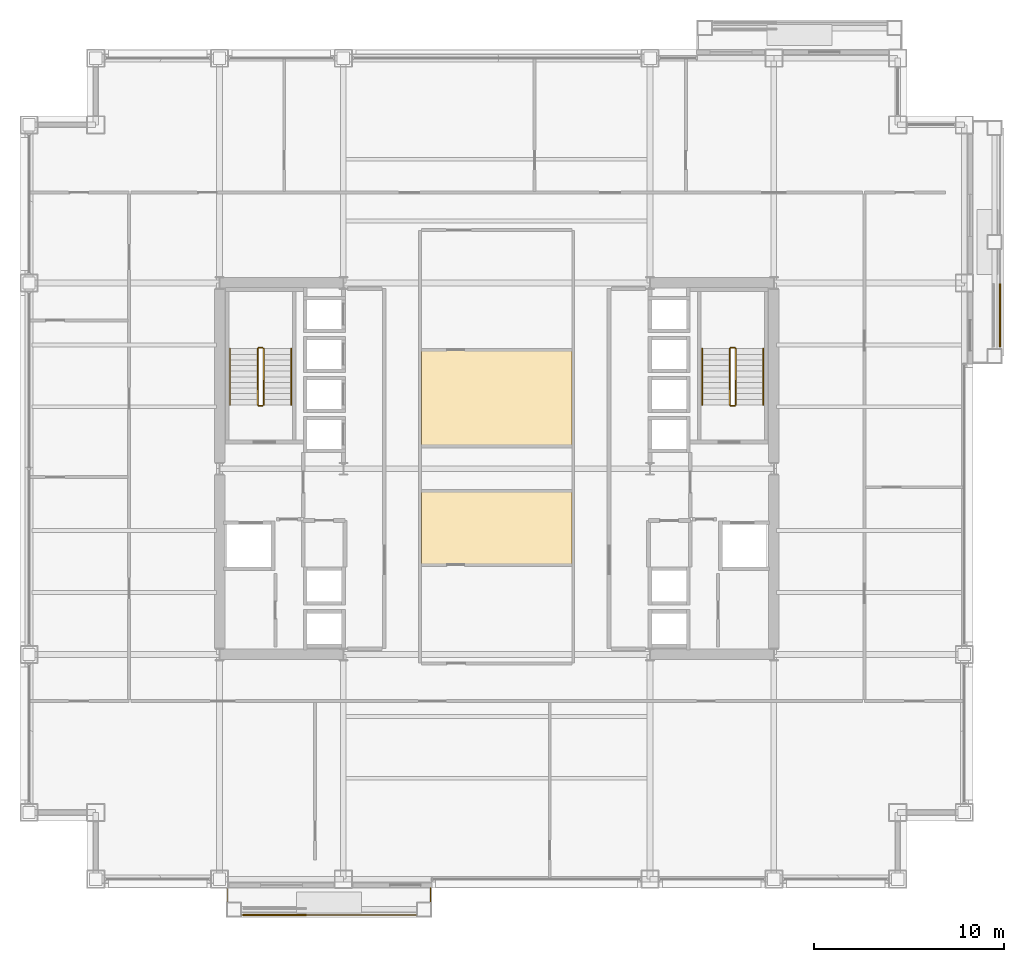
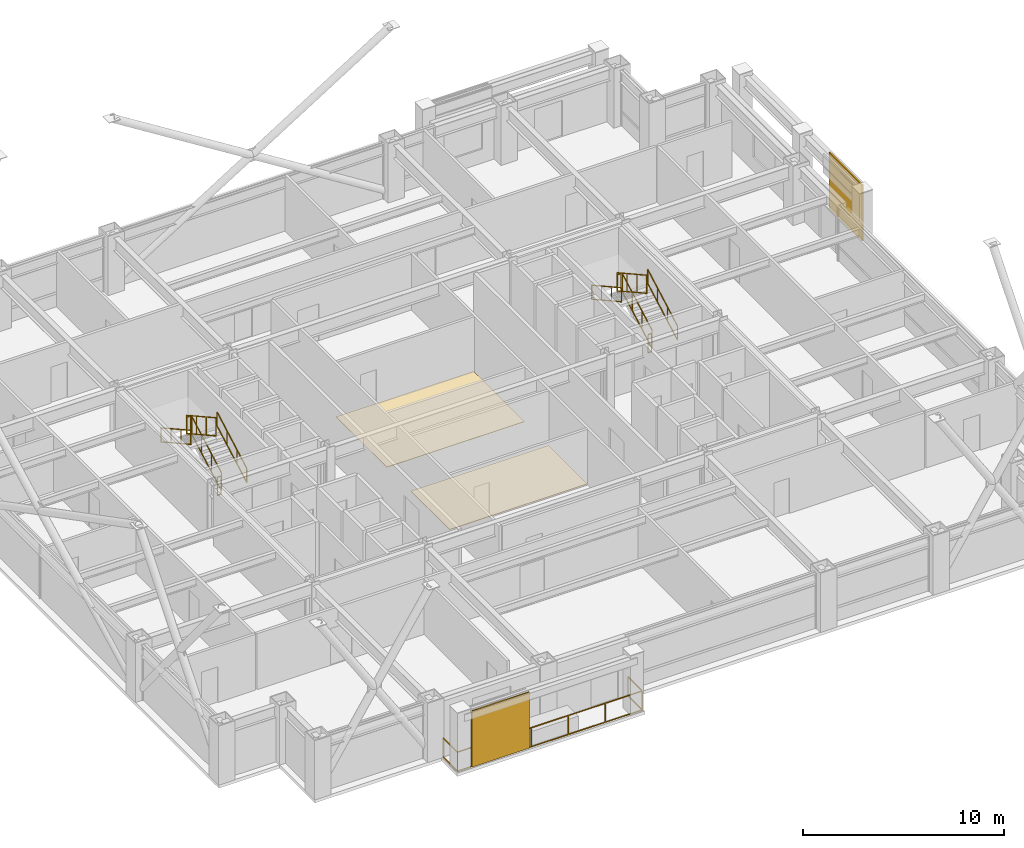
# One storey, part 32 of 34: 13 railings, 2 coverings, 2 shading devices.
"""IFC4 building model written with IfcOpenShell, lengths in metres."""

from ifc_helpers import new_model, si_unit, direction, frame, origin, origin_2d, place, context, subcontext, project, spatial, polyline, rectangle, outline, extrude, material, layer, layer_set, type_object, element, save


model = new_model("IFC4")

# Units and contexts
model_context = context("Model", 3, precision=1e-05, world=origin(), true_north=direction((0.0, 1.0)))
body_context = subcontext(model_context, "Body", "Model", "MODEL_VIEW")
ifc_project = project(units=[si_unit("LENGTHUNIT", "METRE"), si_unit("AREAUNIT", "SQUARE_METRE"), si_unit("VOLUMEUNIT", "CUBIC_METRE"), si_unit("PLANEANGLEUNIT", "RADIAN"), si_unit("MASSUNIT", "GRAM", prefix="KILO")], contexts=[model_context])

# Site, building, storey
site_placement = place(None, origin())
site = spatial("IfcSite", under=ifc_project, at=site_placement, CompositionType="ELEMENT")
building_placement = place(site_placement, origin())
building = spatial("IfcBuilding", under=site, at=building_placement, Name="Brelmoor Portico Tower", CompositionType="ELEMENT")
storey_placement = place(building_placement, frame((0.0, 0.0, 45.60009765625)))
storey = spatial("IfcBuildingStorey", under=building, at=storey_placement, Name="L11", CompositionType="ELEMENT", Elevation=45.60009765625)

# Coverings
ifc_material_1 = material(Name="Polished Pale-Aggregate Cementitious Terrazzo", Category="stone")
ifc_layer_1 = layer(ifc_material_1, 0.030029296875)
ifc_layer_set_1 = layer_set([ifc_layer_1], Name="Polished Pale-Aggregate Cementitious Terrazzo")
covering_type_1 = type_object("IfcCoveringType", Name="CV-FLR-TERRAZZO-30", PredefinedType="FLOORING", material=ifc_layer_set_1)
covering_1_placement = place(storey_placement, origin())
element("IfcCovering", 1, at=covering_1_placement, inside=storey, type_object=covering_type_1, Name="L11 Architectural Floor Finish 02", PredefinedType="FLOORING", context=body_context, shape_type="SweptSolid", body=[
    extrude(outline(polyline([(-3.9599609375, -5.06005859375), (-3.9599609375, -1.199951171875), (3.9599609375, -1.199951171875), (3.9599609375, -5.06005859375), (-3.9599609375, -5.06005859375)])), origin(), (0.0, 0.0, 1.0), 0.02978515625),
])
ifc_material_2 = material(Name="Engineered Quarter-Sawn Oak Parquet Flooring", Category="timber")
ifc_layer_2 = layer(ifc_material_2, 0.02197265625)
ifc_layer_set_2 = layer_set([ifc_layer_2], Name="Engineered Quarter-Sawn Oak Parquet Flooring")
covering_type_2 = type_object("IfcCoveringType", Name="CV-FLR-TIMBER-22", PredefinedType="FLOORING", material=ifc_layer_set_2)
covering_2_placement = place(storey_placement, origin())
element("IfcCovering", 2, at=covering_2_placement, inside=storey, type_object=covering_type_2, Name="L11 Architectural Floor Finish 01", PredefinedType="FLOORING", context=body_context, shape_type="SweptSolid", body=[
    extrude(outline(polyline([(-3.9599609375, 1.199951171875), (-3.9599609375, 6.260009765625), (3.9599609375, 6.260009765625), (3.9599609375, 1.199951171875), (-3.9599609375, 1.199951171875)])), origin(), (0.0, 0.0, 1.0), 0.02197265625),
])

# Railings
ifc_material_3 = material(Name="Perforated Pale Champagne Aluminium Fretwork Guard", Category="aluminium")
railing_type_1 = type_object("IfcRailingType", Name="RL-BALUSTRADE-1200", PredefinedType="BALUSTRADE", material=ifc_material_3)
railing_1_placement = place(storey_placement, frame((-14.1201171875, -22.0, 0.0)))
element("IfcRailing", 3, at=railing_1_placement, inside=storey, type_object=railing_type_1, Name="L11 Tree Balcony Fretwork Balustrade S", PredefinedType="BALUSTRADE", context=body_context, shape_type="SweptSolid", body=[
    extrude(rectangle(XDim=0.048095703125, YDim=0.048095703125, at=origin_2d()), frame((0.0, 0.0, 1.17578125), z_axis=(0.0, -1.0, 0.0), x_axis=(1.0, 0.0, 0.0)), (0.0, 0.0, 1.0), 1.429931640625),
    extrude(rectangle(XDim=0.048095703125, YDim=0.048095703125, at=origin_2d()), frame((0.0, 0.0, 0.02392578125), z_axis=(0.0, -1.0, 0.0), x_axis=(1.0, 0.0, 0.0)), (0.0, 0.0, 1.0), 1.429931640625),
    extrude(rectangle(XDim=0.048095703125, YDim=0.048095703125, at=origin_2d()), frame((0.0, -1.429931640625, 1.17578125), z_axis=(1.0, 0.0, 0.0), x_axis=(0.0, 1.0, 0.0)), (0.0, 0.0, 1.0), 10.64013671875),
    extrude(rectangle(XDim=0.048095703125, YDim=0.048095703125, at=origin_2d()), frame((0.0, -1.429931640625, 0.02392578125), z_axis=(1.0, 0.0, 0.0), x_axis=(0.0, 1.0, 0.0)), (0.0, 0.0, 1.0), 10.64013671875),
    extrude(rectangle(XDim=0.048095703125, YDim=0.048095703125, at=origin_2d()), frame((10.64013671875, -1.429931640625, 1.17578125), z_axis=(0.0, 1.0, 0.0), x_axis=(-1.0, 0.0, 0.0)), (0.0, 0.0, 1.0), 1.429931640625),
    extrude(rectangle(XDim=0.048095703125, YDim=0.048095703125, at=origin_2d()), frame((10.64013671875, -1.429931640625, 0.02392578125), z_axis=(0.0, 1.0, 0.0), x_axis=(-1.0, 0.0, 0.0)), (0.0, 0.0, 1.0), 1.429931640625),
    extrude(rectangle(XDim=0.0419921875, YDim=0.0419921875, at=origin_2d()), origin(), (0.0, 0.0, 1.0), 1.15185546875),
    extrude(rectangle(XDim=0.0419921875, YDim=0.0419921875, at=origin_2d()), frame((0.0, -1.429931640625, 0.0)), (0.0, 0.0, 1.0), 1.15185546875),
    extrude(rectangle(XDim=0.0419921875, YDim=0.0419921875, at=origin_2d()), frame((2.1279296875, -1.429931640625, 0.0)), (0.0, 0.0, 1.0), 1.15185546875),
    extrude(rectangle(XDim=0.0419921875, YDim=0.0419921875, at=origin_2d()), frame((4.256103515625, -1.429931640625, 0.0)), (0.0, 0.0, 1.0), 1.15185546875),
    extrude(rectangle(XDim=0.0419921875, YDim=0.0419921875, at=origin_2d()), frame((6.384033203125, -1.429931640625, 0.0)), (0.0, 0.0, 1.0), 1.15185546875),
    extrude(rectangle(XDim=0.0419921875, YDim=0.0419921875, at=origin_2d()), frame((8.51220703125, -1.429931640625, 0.0)), (0.0, 0.0, 1.0), 1.15185546875),
    extrude(rectangle(XDim=0.0419921875, YDim=0.0419921875, at=origin_2d()), frame((10.64013671875, -1.429931640625, 0.0)), (0.0, 0.0, 1.0), 1.15185546875),
    extrude(rectangle(XDim=0.0419921875, YDim=0.0419921875, at=origin_2d()), frame((10.64013671875, 0.0, 0.0)), (0.0, 0.0, 1.0), 1.15185546875),
])
ifc_material_4 = material(Name="Painted Tubular Steel Q235B", Category="steel")
railing_type_2 = type_object("IfcRailingType", Name="RL-STAIR-GUARD", PredefinedType="GUARDRAIL", material=ifc_material_4)
railing_2_placement = place(storey_placement, frame((-12.239990234375, 3.35009765625, 0.16357421875)))
element("IfcRailing", 4, at=railing_2_placement, inside=storey, type_object=railing_type_2, Name="L11 ST-W stair guard 1", PredefinedType="GUARDRAIL", context=body_context, shape_type="SweptSolid", body=[
    extrude(rectangle(XDim=0.048095703125, YDim=0.048095703125, at=origin_2d()), frame((0.0, 0.0, 1.1259765625), z_axis=(0.0, 0.87448821551, 0.485046761595), x_axis=(-1.0, 0.0, 0.0)), (0.0, 0.0, 1.0), 3.373291015625),
    extrude(rectangle(XDim=0.048095703125, YDim=0.048095703125, at=origin_2d()), frame((0.0, 0.0, 0.02392578125), z_axis=(0.0, 0.87448821551, 0.485046761595), x_axis=(-1.0, 0.0, 0.0)), (0.0, 0.0, 1.0), 3.373291015625),
    extrude(rectangle(XDim=0.0419921875, YDim=0.0419921875, at=origin_2d()), origin(), (0.0, 0.0, 1.0), 1.101806640625),
    extrude(rectangle(XDim=0.0419921875, YDim=0.0419921875, at=origin_2d()), frame((0.0, 0.9833984375, 0.54541015625)), (0.0, 0.0, 1.0), 1.101806640625),
    extrude(rectangle(XDim=0.0419921875, YDim=0.0419921875, at=origin_2d()), frame((0.0, 1.966552734375, 1.0908203125)), (0.0, 0.0, 1.0), 1.101806640625),
    extrude(rectangle(XDim=0.0419921875, YDim=0.0419921875, at=origin_2d()), frame((0.0, 2.949951171875, 1.63623046875)), (0.0, 0.0, 1.0), 1.101806640625),
])
railing_3_placement = place(storey_placement, frame((-12.2900390625, 6.35009765625, 1.7998046875)))
element("IfcRailing", 5, at=railing_3_placement, inside=storey, type_object=railing_type_2, Name="L11 ST-W stair guard 2", PredefinedType="GUARDRAIL", context=body_context, shape_type="SweptSolid", body=[
    extrude(rectangle(XDim=0.048095703125, YDim=0.048095703125, at=origin_2d()), frame((0.0, 0.0, 1.1259765625), z_axis=(-1.0, 0.0, 0.0), x_axis=(0.0, -1.0, 0.0)), (0.0, 0.0, 1.0), 0.199951171875),
    extrude(rectangle(XDim=0.048095703125, YDim=0.048095703125, at=origin_2d()), frame((0.0, 0.0, 0.02392578125), z_axis=(-1.0, 0.0, 0.0), x_axis=(0.0, -1.0, 0.0)), (0.0, 0.0, 1.0), 0.199951171875),
    extrude(rectangle(XDim=0.0419921875, YDim=0.0419921875, at=origin_2d()), origin(), (0.0, 0.0, 1.0), 1.101806640625),
    extrude(rectangle(XDim=0.0419921875, YDim=0.0419921875, at=origin_2d()), frame((-0.199951171875, 0.0, 0.0)), (0.0, 0.0, 1.0), 1.101806640625),
])
railing_4_placement = place(storey_placement, frame((-12.5400390625, 6.300048828125, 1.963623046875)))
element("IfcRailing", 6, at=railing_4_placement, inside=storey, type_object=railing_type_2, Name="L11 ST-W stair guard 3", PredefinedType="GUARDRAIL", context=body_context, shape_type="SweptSolid", body=[
    extrude(rectangle(XDim=0.048095703125, YDim=0.048095703125, at=origin_2d()), frame((0.0, 0.0, 1.1259765625), z_axis=(0.0, -0.87448821551, 0.485046761595), x_axis=(1.0, 0.0, 0.0)), (0.0, 0.0, 1.0), 3.373291015625),
    extrude(rectangle(XDim=0.048095703125, YDim=0.048095703125, at=origin_2d()), frame((0.0, 0.0, 0.02392578125), z_axis=(0.0, -0.87448821551, 0.485046761595), x_axis=(1.0, 0.0, 0.0)), (0.0, 0.0, 1.0), 3.373291015625),
    extrude(rectangle(XDim=0.0419921875, YDim=0.0419921875, at=origin_2d()), origin(), (0.0, 0.0, 1.0), 1.101806640625),
    extrude(rectangle(XDim=0.0419921875, YDim=0.0419921875, at=origin_2d()), frame((0.0, -0.9833984375, 0.54541015625)), (0.0, 0.0, 1.0), 1.101806640625),
    extrude(rectangle(XDim=0.0419921875, YDim=0.0419921875, at=origin_2d()), frame((0.0, -1.966552734375, 1.0908203125)), (0.0, 0.0, 1.0), 1.101806640625),
    extrude(rectangle(XDim=0.0419921875, YDim=0.0419921875, at=origin_2d()), frame((0.0, -2.949951171875, 1.63623046875)), (0.0, 0.0, 1.0), 1.101806640625),
])
railing_5_placement = place(storey_placement, frame((-12.2900390625, 3.300048828125, 0.0)))
element("IfcRailing", 7, at=railing_5_placement, inside=storey, type_object=railing_type_2, Name="L11 ST-W stair guard 4", PredefinedType="GUARDRAIL", context=body_context, shape_type="SweptSolid", body=[
    extrude(rectangle(XDim=0.048095703125, YDim=0.048095703125, at=origin_2d()), frame((0.0, 0.0, 1.1259765625), z_axis=(-1.0, 0.0, 0.0), x_axis=(0.0, -1.0, 0.0)), (0.0, 0.0, 1.0), 0.199951171875),
    extrude(rectangle(XDim=0.048095703125, YDim=0.048095703125, at=origin_2d()), frame((0.0, 0.0, 0.02392578125), z_axis=(-1.0, 0.0, 0.0), x_axis=(0.0, -1.0, 0.0)), (0.0, 0.0, 1.0), 0.199951171875),
    extrude(rectangle(XDim=0.0419921875, YDim=0.0419921875, at=origin_2d()), origin(), (0.0, 0.0, 1.0), 1.101806640625),
    extrude(rectangle(XDim=0.0419921875, YDim=0.0419921875, at=origin_2d()), frame((-0.199951171875, 0.0, 0.0)), (0.0, 0.0, 1.0), 1.101806640625),
])
railing_6_placement = place(storey_placement, frame((12.5400390625, 3.35009765625, 0.16357421875)))
element("IfcRailing", 8, at=railing_6_placement, inside=storey, type_object=railing_type_2, Name="L11 ST-E stair guard 1", PredefinedType="GUARDRAIL", context=body_context, shape_type="SweptSolid", body=[
    extrude(rectangle(XDim=0.048095703125, YDim=0.048095703125, at=origin_2d()), frame((0.0, 0.0, 1.1259765625), z_axis=(0.0, 0.87448821551, 0.485046761595), x_axis=(-1.0, 0.0, 0.0)), (0.0, 0.0, 1.0), 3.373291015625),
    extrude(rectangle(XDim=0.048095703125, YDim=0.048095703125, at=origin_2d()), frame((0.0, 0.0, 0.02392578125), z_axis=(0.0, 0.87448821551, 0.485046761595), x_axis=(-1.0, 0.0, 0.0)), (0.0, 0.0, 1.0), 3.373291015625),
    extrude(rectangle(XDim=0.0419921875, YDim=0.0419921875, at=origin_2d()), origin(), (0.0, 0.0, 1.0), 1.101806640625),
    extrude(rectangle(XDim=0.0419921875, YDim=0.0419921875, at=origin_2d()), frame((0.0, 0.9833984375, 0.54541015625)), (0.0, 0.0, 1.0), 1.101806640625),
    extrude(rectangle(XDim=0.0419921875, YDim=0.0419921875, at=origin_2d()), frame((0.0, 1.966552734375, 1.0908203125)), (0.0, 0.0, 1.0), 1.101806640625),
    extrude(rectangle(XDim=0.0419921875, YDim=0.0419921875, at=origin_2d()), frame((0.0, 2.949951171875, 1.63623046875)), (0.0, 0.0, 1.0), 1.101806640625),
])
railing_7_placement = place(storey_placement, frame((12.489990234375, 6.35009765625, 1.7998046875)))
element("IfcRailing", 9, at=railing_7_placement, inside=storey, type_object=railing_type_2, Name="L11 ST-E stair guard 2", PredefinedType="GUARDRAIL", context=body_context, shape_type="SweptSolid", body=[
    extrude(rectangle(XDim=0.048095703125, YDim=0.048095703125, at=origin_2d()), frame((0.0, 0.0, 1.1259765625), z_axis=(-1.0, 0.0, 0.0), x_axis=(0.0, -1.0, 0.0)), (0.0, 0.0, 1.0), 0.199951171875),
    extrude(rectangle(XDim=0.048095703125, YDim=0.048095703125, at=origin_2d()), frame((0.0, 0.0, 0.02392578125), z_axis=(-1.0, 0.0, 0.0), x_axis=(0.0, -1.0, 0.0)), (0.0, 0.0, 1.0), 0.199951171875),
    extrude(rectangle(XDim=0.0419921875, YDim=0.0419921875, at=origin_2d()), origin(), (0.0, 0.0, 1.0), 1.101806640625),
    extrude(rectangle(XDim=0.0419921875, YDim=0.0419921875, at=origin_2d()), frame((-0.199951171875, 0.0, 0.0)), (0.0, 0.0, 1.0), 1.101806640625),
])
railing_8_placement = place(storey_placement, frame((12.239990234375, 6.300048828125, 1.963623046875)))
element("IfcRailing", 10, at=railing_8_placement, inside=storey, type_object=railing_type_2, Name="L11 ST-E stair guard 3", PredefinedType="GUARDRAIL", context=body_context, shape_type="SweptSolid", body=[
    extrude(rectangle(XDim=0.048095703125, YDim=0.048095703125, at=origin_2d()), frame((0.0, 0.0, 1.1259765625), z_axis=(0.0, -0.87448821551, 0.485046761595), x_axis=(1.0, 0.0, 0.0)), (0.0, 0.0, 1.0), 3.373291015625),
    extrude(rectangle(XDim=0.048095703125, YDim=0.048095703125, at=origin_2d()), frame((0.0, 0.0, 0.02392578125), z_axis=(0.0, -0.87448821551, 0.485046761595), x_axis=(1.0, 0.0, 0.0)), (0.0, 0.0, 1.0), 3.373291015625),
    extrude(rectangle(XDim=0.0419921875, YDim=0.0419921875, at=origin_2d()), origin(), (0.0, 0.0, 1.0), 1.101806640625),
    extrude(rectangle(XDim=0.0419921875, YDim=0.0419921875, at=origin_2d()), frame((0.0, -0.9833984375, 0.54541015625)), (0.0, 0.0, 1.0), 1.101806640625),
    extrude(rectangle(XDim=0.0419921875, YDim=0.0419921875, at=origin_2d()), frame((0.0, -1.966552734375, 1.0908203125)), (0.0, 0.0, 1.0), 1.101806640625),
    extrude(rectangle(XDim=0.0419921875, YDim=0.0419921875, at=origin_2d()), frame((0.0, -2.949951171875, 1.63623046875)), (0.0, 0.0, 1.0), 1.101806640625),
])
railing_9_placement = place(storey_placement, frame((12.489990234375, 3.300048828125, 0.0)))
element("IfcRailing", 11, at=railing_9_placement, inside=storey, type_object=railing_type_2, Name="L11 ST-E stair guard 4", PredefinedType="GUARDRAIL", context=body_context, shape_type="SweptSolid", body=[
    extrude(rectangle(XDim=0.048095703125, YDim=0.048095703125, at=origin_2d()), frame((0.0, 0.0, 1.1259765625), z_axis=(-1.0, 0.0, 0.0), x_axis=(0.0, -1.0, 0.0)), (0.0, 0.0, 1.0), 0.199951171875),
    extrude(rectangle(XDim=0.048095703125, YDim=0.048095703125, at=origin_2d()), frame((0.0, 0.0, 0.02392578125), z_axis=(-1.0, 0.0, 0.0), x_axis=(0.0, -1.0, 0.0)), (0.0, 0.0, 1.0), 0.199951171875),
    extrude(rectangle(XDim=0.0419921875, YDim=0.0419921875, at=origin_2d()), origin(), (0.0, 0.0, 1.0), 1.101806640625),
    extrude(rectangle(XDim=0.0419921875, YDim=0.0419921875, at=origin_2d()), frame((-0.199951171875, 0.0, 0.0)), (0.0, 0.0, 1.0), 1.101806640625),
])
ifc_material_5 = material(Name="Brushed Stainless Steel 304", Category="steel")
railing_type_3 = type_object("IfcRailingType", Name="RL-STAIR-HANDRAIL", PredefinedType="HANDRAIL", material=ifc_material_5)
railing_10_placement = place(storey_placement, frame((-10.780029296875, 3.35009765625, 0.16357421875)))
element("IfcRailing", 12, at=railing_10_placement, inside=storey, type_object=railing_type_3, Name="L11 ST-W stair handrail 1", PredefinedType="HANDRAIL", context=body_context, shape_type="SweptSolid", body=[
    extrude(rectangle(XDim=0.048095703125, YDim=0.048095703125, at=origin_2d()), frame((0.0, 0.0, 0.8759765625), z_axis=(0.0, 0.87448821551, 0.485046761595), x_axis=(-1.0, 0.0, 0.0)), (0.0, 0.0, 1.0), 3.373291015625),
    extrude(rectangle(XDim=0.048095703125, YDim=0.048095703125, at=origin_2d()), frame((0.0, 0.0, 0.02392578125), z_axis=(0.0, 0.87448821551, 0.485046761595), x_axis=(-1.0, 0.0, 0.0)), (0.0, 0.0, 1.0), 3.373291015625),
    extrude(rectangle(XDim=0.0419921875, YDim=0.0419921875, at=origin_2d()), origin(), (0.0, 0.0, 1.0), 0.851806640625),
    extrude(rectangle(XDim=0.0419921875, YDim=0.0419921875, at=origin_2d()), frame((0.0, 0.9833984375, 0.54541015625)), (0.0, 0.0, 1.0), 0.851806640625),
    extrude(rectangle(XDim=0.0419921875, YDim=0.0419921875, at=origin_2d()), frame((0.0, 1.966552734375, 1.0908203125)), (0.0, 0.0, 1.0), 0.851806640625),
    extrude(rectangle(XDim=0.0419921875, YDim=0.0419921875, at=origin_2d()), frame((0.0, 2.949951171875, 1.63623046875)), (0.0, 0.0, 1.0), 0.851806640625),
])
railing_11_placement = place(storey_placement, frame((-14.0, 6.300048828125, 1.963623046875)))
element("IfcRailing", 13, at=railing_11_placement, inside=storey, type_object=railing_type_3, Name="L11 ST-W stair handrail 2", PredefinedType="HANDRAIL", context=body_context, shape_type="SweptSolid", body=[
    extrude(rectangle(XDim=0.048095703125, YDim=0.048095703125, at=origin_2d()), frame((0.0, 0.0, 0.8759765625), z_axis=(0.0, -0.87448821551, 0.485046761595), x_axis=(1.0, 0.0, 0.0)), (0.0, 0.0, 1.0), 3.373291015625),
    extrude(rectangle(XDim=0.048095703125, YDim=0.048095703125, at=origin_2d()), frame((0.0, 0.0, 0.02392578125), z_axis=(0.0, -0.87448821551, 0.485046761595), x_axis=(1.0, 0.0, 0.0)), (0.0, 0.0, 1.0), 3.373291015625),
    extrude(rectangle(XDim=0.0419921875, YDim=0.0419921875, at=origin_2d()), origin(), (0.0, 0.0, 1.0), 0.851806640625),
    extrude(rectangle(XDim=0.0419921875, YDim=0.0419921875, at=origin_2d()), frame((0.0, -0.9833984375, 0.54541015625)), (0.0, 0.0, 1.0), 0.851806640625),
    extrude(rectangle(XDim=0.0419921875, YDim=0.0419921875, at=origin_2d()), frame((0.0, -1.966552734375, 1.0908203125)), (0.0, 0.0, 1.0), 0.851806640625),
    extrude(rectangle(XDim=0.0419921875, YDim=0.0419921875, at=origin_2d()), frame((0.0, -2.949951171875, 1.63623046875)), (0.0, 0.0, 1.0), 0.851806640625),
])
railing_12_placement = place(storey_placement, frame((14.0, 3.35009765625, 0.16357421875)))
element("IfcRailing", 14, at=railing_12_placement, inside=storey, type_object=railing_type_3, Name="L11 ST-E stair handrail 1", PredefinedType="HANDRAIL", context=body_context, shape_type="SweptSolid", body=[
    extrude(rectangle(XDim=0.048095703125, YDim=0.048095703125, at=origin_2d()), frame((0.0, 0.0, 0.8759765625), z_axis=(0.0, 0.87448821551, 0.485046761595), x_axis=(-1.0, 0.0, 0.0)), (0.0, 0.0, 1.0), 3.373291015625),
    extrude(rectangle(XDim=0.048095703125, YDim=0.048095703125, at=origin_2d()), frame((0.0, 0.0, 0.02392578125), z_axis=(0.0, 0.87448821551, 0.485046761595), x_axis=(-1.0, 0.0, 0.0)), (0.0, 0.0, 1.0), 3.373291015625),
    extrude(rectangle(XDim=0.0419921875, YDim=0.0419921875, at=origin_2d()), origin(), (0.0, 0.0, 1.0), 0.851806640625),
    extrude(rectangle(XDim=0.0419921875, YDim=0.0419921875, at=origin_2d()), frame((0.0, 0.9833984375, 0.54541015625)), (0.0, 0.0, 1.0), 0.851806640625),
    extrude(rectangle(XDim=0.0419921875, YDim=0.0419921875, at=origin_2d()), frame((0.0, 1.966552734375, 1.0908203125)), (0.0, 0.0, 1.0), 0.851806640625),
    extrude(rectangle(XDim=0.0419921875, YDim=0.0419921875, at=origin_2d()), frame((0.0, 2.949951171875, 1.63623046875)), (0.0, 0.0, 1.0), 0.851806640625),
])
railing_13_placement = place(storey_placement, frame((10.780029296875, 6.300048828125, 1.963623046875)))
element("IfcRailing", 15, at=railing_13_placement, inside=storey, type_object=railing_type_3, Name="L11 ST-E stair handrail 2", PredefinedType="HANDRAIL", context=body_context, shape_type="SweptSolid", body=[
    extrude(rectangle(XDim=0.048095703125, YDim=0.048095703125, at=origin_2d()), frame((0.0, 0.0, 0.8759765625), z_axis=(0.0, -0.87448821551, 0.485046761595), x_axis=(1.0, 0.0, 0.0)), (0.0, 0.0, 1.0), 3.373291015625),
    extrude(rectangle(XDim=0.048095703125, YDim=0.048095703125, at=origin_2d()), frame((0.0, 0.0, 0.02392578125), z_axis=(0.0, -0.87448821551, 0.485046761595), x_axis=(1.0, 0.0, 0.0)), (0.0, 0.0, 1.0), 3.373291015625),
    extrude(rectangle(XDim=0.0419921875, YDim=0.0419921875, at=origin_2d()), origin(), (0.0, 0.0, 1.0), 0.851806640625),
    extrude(rectangle(XDim=0.0419921875, YDim=0.0419921875, at=origin_2d()), frame((0.0, -0.9833984375, 0.54541015625)), (0.0, 0.0, 1.0), 0.851806640625),
    extrude(rectangle(XDim=0.0419921875, YDim=0.0419921875, at=origin_2d()), frame((0.0, -1.966552734375, 1.0908203125)), (0.0, 0.0, 1.0), 0.851806640625),
    extrude(rectangle(XDim=0.0419921875, YDim=0.0419921875, at=origin_2d()), frame((0.0, -2.949951171875, 1.63623046875)), (0.0, 0.0, 1.0), 0.851806640625),
])

# Shading devices
ifc_material_6 = material(Name="Powder-Coated Aluminium Shuttered Jalousie", Category="aluminium")
ifc_layer_3 = layer(ifc_material_6, 0.080078125)
ifc_layer_set_3 = layer_set([ifc_layer_3], Name="Powder-Coated Aluminium Shuttered Jalousie")
shading_device_type = type_object("IfcShadingDeviceType", Name="SD-JALOUSIE-LOGGIA", PredefinedType="JALOUSIE", material=ifc_layer_set_3)
for number, where, z_axis, x_axis, name in (
    (16, (-11.64990234375, -23.429931640625, 0.0), (0.0, 0.0, 1.0), (1.0, 0.0, 0.0), "L11 Loggia Shuttered Jalousie S"),
    (17, (26.429931640625, 8.050048828125, 0.0), (0.0, 0.0, 1.0), (0.0, 1.0, 0.0), "L11 Loggia Shuttered Jalousie E"),
):
    element("IfcShadingDevice", number, at=place(storey_placement, frame(where, z_axis=z_axis, x_axis=x_axis)), inside=storey, type_object=shading_device_type, Name=name, PredefinedType="JALOUSIE", context=body_context, shape_type="SweptSolid", body=[
        extrude(rectangle(XDim=3.300048828125, YDim=0.080078125, at=origin_2d()), origin(), (0.0, 0.0, 1.0), 3.39990234375),
    ])

save(model, "model.ifc")
